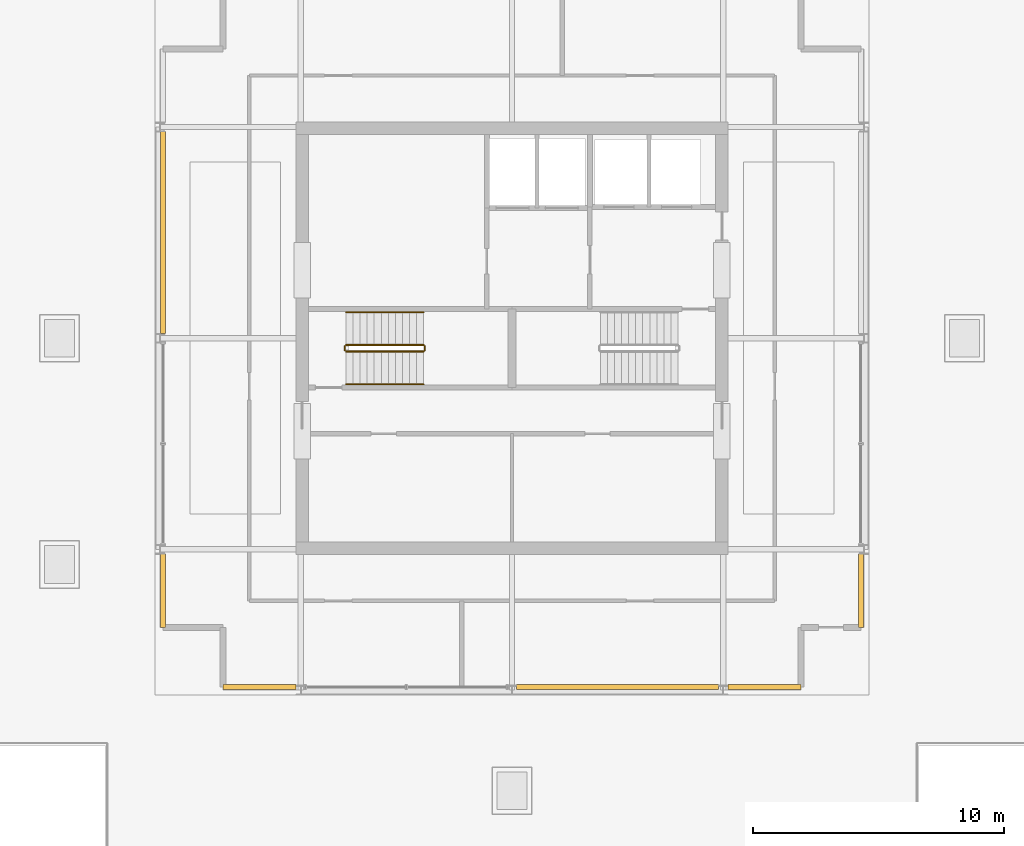
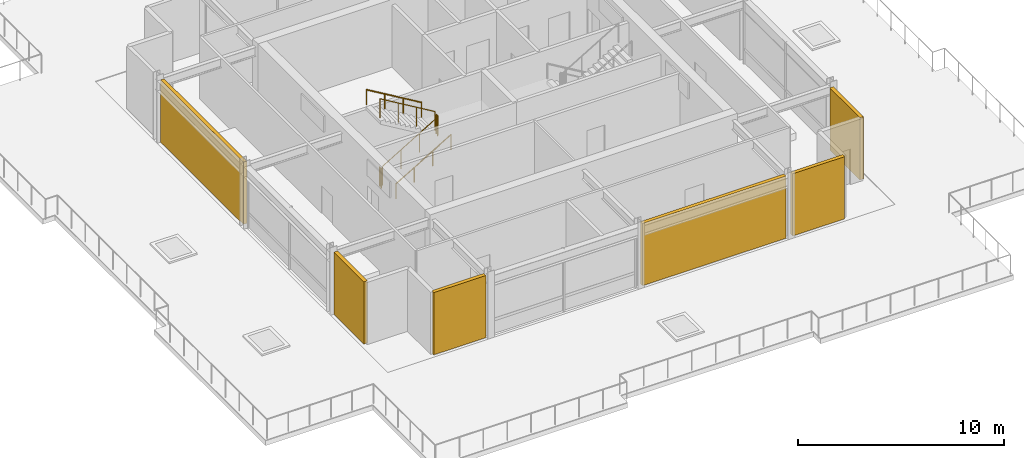
# One storey, part 15 of 17: 6 railings, 6 shading devices.
"""IFC4 building model written with IfcOpenShell, lengths in metres."""

from ifc_helpers import new_model, si_unit, direction, frame, origin, origin_2d, place, context, subcontext, project, spatial, rectangle, circle, extrude, material, layer, layer_set, type_object, element, save


model = new_model("IFC4")

# Units and contexts
model_context = context("Model", 3, precision=1e-05, world=origin(), true_north=direction((0.0, 1.0)))
body_context = subcontext(model_context, "Body", "Model", "MODEL_VIEW")
ifc_project = project(units=[si_unit("LENGTHUNIT", "METRE"), si_unit("AREAUNIT", "SQUARE_METRE"), si_unit("VOLUMEUNIT", "CUBIC_METRE"), si_unit("PLANEANGLEUNIT", "RADIAN"), si_unit("MASSUNIT", "GRAM", prefix="KILO")], contexts=[model_context])

# Site, building, storey
site_placement = place(None, origin())
site = spatial("IfcSite", under=ifc_project, at=site_placement, CompositionType="ELEMENT")
building_placement = place(site_placement, origin())
building = spatial("IfcBuilding", under=site, at=building_placement, Name="Drelvath Grand Hotel", CompositionType="ELEMENT")
storey_placement = place(building_placement, frame((0.0, 0.0, 311.39990234375)))
storey = spatial("IfcBuildingStorey", under=building, at=storey_placement, Name="L81", CompositionType="ELEMENT", Elevation=311.39990234375)

# Railings
ifc_material_1 = material(Name="Painted Steel S275", Category="steel")
railing_type_1 = type_object("IfcRailingType", Name="Core Stair Wall Handrail 900", PredefinedType="HANDRAIL", material=ifc_material_1)
railing_1_placement = place(storey_placement, frame((-6.60009765625, 25.169921875, 0.166748046875)))
element("IfcRailing", 1, at=railing_1_placement, inside=storey, type_object=railing_type_1, Name="L81 ST-1 stair handrail 1", PredefinedType="HANDRAIL", context=body_context, shape_type="SweptSolid", body=[
    extrude(circle(Radius=0.02392578125, at=origin_2d()), frame((0.0, 0.0, 0.8759765625), z_axis=(0.859308565015, 0.0, 0.511457515432), x_axis=(0.0, 1.0, 0.0)), (0.0, 0.0, 1.0), 3.58447265625),
    extrude(circle(Radius=0.02099609375, at=origin_2d()), origin(), (0.0, 0.0, 1.0), 0.851806640625),
    extrude(circle(Radius=0.02099609375, at=origin_2d()), frame((1.026611328125, 0.0, 0.611083984375)), (0.0, 0.0, 1.0), 0.851806640625),
    extrude(circle(Radius=0.02099609375, at=origin_2d()), frame((2.053466796875, 0.0, 1.22216796875)), (0.0, 0.0, 1.0), 0.851806640625),
    extrude(circle(Radius=0.02099609375, at=origin_2d()), frame((3.080078125, 0.0, 1.833251953125)), (0.0, 0.0, 1.0), 0.851806640625),
])
railing_2_placement = place(storey_placement, frame((-3.52001953125, 28.030029296875, 2.166748046875)))
element("IfcRailing", 2, at=railing_2_placement, inside=storey, type_object=railing_type_1, Name="L81 ST-1 stair handrail 2", PredefinedType="HANDRAIL", context=body_context, shape_type="SweptSolid", body=[
    extrude(circle(Radius=0.02392578125, at=origin_2d()), frame((0.0, 0.0, 0.8759765625), z_axis=(-0.859308565015, 0.0, 0.511457515432), x_axis=(0.0, -1.0, 0.0)), (0.0, 0.0, 1.0), 3.58447265625),
    extrude(circle(Radius=0.02099609375, at=origin_2d()), origin(), (0.0, 0.0, 1.0), 0.851806640625),
    extrude(circle(Radius=0.02099609375, at=origin_2d()), frame((-1.026611328125, 0.0, 0.611083984375)), (0.0, 0.0, 1.0), 0.851806640625),
    extrude(circle(Radius=0.02099609375, at=origin_2d()), frame((-2.053466796875, 0.0, 1.22216796875)), (0.0, 0.0, 1.0), 0.851806640625),
    extrude(circle(Radius=0.02099609375, at=origin_2d()), frame((-3.080078125, 0.0, 1.833251953125)), (0.0, 0.0, 1.0), 0.851806640625),
])
railing_type_2 = type_object("IfcRailingType", Name="Core Stair Well Guardrail 1100", PredefinedType="GUARDRAIL", material=ifc_material_1)
railing_3_placement = place(storey_placement, frame((-6.60009765625, 26.469970703125, 0.166748046875)))
element("IfcRailing", 3, at=railing_3_placement, inside=storey, type_object=railing_type_2, Name="L81 ST-1 stair guard 1", PredefinedType="GUARDRAIL", context=body_context, shape_type="SweptSolid", body=[
    extrude(circle(Radius=0.02392578125, at=origin_2d()), frame((0.0, 0.0, 1.1259765625), z_axis=(0.859308565015, 0.0, 0.511457515432), x_axis=(0.0, 1.0, 0.0)), (0.0, 0.0, 1.0), 3.58447265625),
    extrude(circle(Radius=0.02099609375, at=origin_2d()), origin(), (0.0, 0.0, 1.0), 1.101806640625),
    extrude(circle(Radius=0.02099609375, at=origin_2d()), frame((1.026611328125, 0.0, 0.611083984375)), (0.0, 0.0, 1.0), 1.101806640625),
    extrude(circle(Radius=0.02099609375, at=origin_2d()), frame((2.053466796875, 0.0, 1.22216796875)), (0.0, 0.0, 1.0), 1.101806640625),
    extrude(circle(Radius=0.02099609375, at=origin_2d()), frame((3.080078125, 0.0, 1.833251953125)), (0.0, 0.0, 1.0), 1.101806640625),
])
railing_4_placement = place(storey_placement, frame((-3.469970703125, 26.52001953125, 2.0)))
element("IfcRailing", 4, at=railing_4_placement, inside=storey, type_object=railing_type_2, Name="L81 ST-1 stair guard 2", PredefinedType="GUARDRAIL", context=body_context, shape_type="SweptSolid", body=[
    extrude(circle(Radius=0.02392578125, at=origin_2d()), frame((0.0, 0.0, 1.1259765625), z_axis=(0.0, 1.0, 0.0), x_axis=(-1.0, 0.0, 0.0)), (0.0, 0.0, 1.0), 0.159912109375),
    extrude(circle(Radius=0.02099609375, at=origin_2d()), origin(), (0.0, 0.0, 1.0), 1.101806640625),
    extrude(circle(Radius=0.02099609375, at=origin_2d()), frame((0.0, 0.159912109375, 0.0)), (0.0, 0.0, 1.0), 1.101806640625),
])
railing_5_placement = place(storey_placement, frame((-3.52001953125, 26.72998046875, 2.166748046875)))
element("IfcRailing", 5, at=railing_5_placement, inside=storey, type_object=railing_type_2, Name="L81 ST-1 stair guard 3", PredefinedType="GUARDRAIL", context=body_context, shape_type="SweptSolid", body=[
    extrude(circle(Radius=0.02392578125, at=origin_2d()), frame((0.0, 0.0, 1.1259765625), z_axis=(-0.859308565015, 0.0, 0.511457515432), x_axis=(0.0, -1.0, 0.0)), (0.0, 0.0, 1.0), 3.58447265625),
    extrude(circle(Radius=0.02099609375, at=origin_2d()), origin(), (0.0, 0.0, 1.0), 1.101806640625),
    extrude(circle(Radius=0.02099609375, at=origin_2d()), frame((-1.026611328125, 0.0, 0.611083984375)), (0.0, 0.0, 1.0), 1.101806640625),
    extrude(circle(Radius=0.02099609375, at=origin_2d()), frame((-2.053466796875, 0.0, 1.22216796875)), (0.0, 0.0, 1.0), 1.101806640625),
    extrude(circle(Radius=0.02099609375, at=origin_2d()), frame((-3.080078125, 0.0, 1.833251953125)), (0.0, 0.0, 1.0), 1.101806640625),
])
railing_6_placement = place(storey_placement, frame((-6.64990234375, 26.52001953125, 0.0)))
element("IfcRailing", 6, at=railing_6_placement, inside=storey, type_object=railing_type_2, Name="L81 ST-1 stair guard 4", PredefinedType="GUARDRAIL", context=body_context, shape_type="SweptSolid", body=[
    extrude(circle(Radius=0.02392578125, at=origin_2d()), frame((0.0, 0.0, 1.1259765625), z_axis=(0.0, 1.0, 0.0), x_axis=(-1.0, 0.0, 0.0)), (0.0, 0.0, 1.0), 0.159912109375),
    extrude(circle(Radius=0.02099609375, at=origin_2d()), origin(), (0.0, 0.0, 1.0), 1.101806640625),
    extrude(circle(Radius=0.02099609375, at=origin_2d()), frame((0.0, 0.159912109375, 0.0)), (0.0, 0.0, 1.0), 1.101806640625),
])

# Shading devices
ifc_material_2 = material(Name="Platinum-Mist Anodised Aluminium Louvre", Category="aluminium")
ifc_layer = layer(ifc_material_2, 0.199951171875)
ifc_layer_set = layer_set([ifc_layer], Name="Platinum-Mist Anodised Aluminium Louvre")
shading_device_type = type_object("IfcShadingDeviceType", Name="Crown Drum Screened Acoustic Louvre 200", PredefinedType="USERDEFINED", material=ifc_layer_set)
shading_device_1_placement = place(storey_placement, frame((-13.8798828125, 16.958984375, 0.0), z_axis=(0.0, 0.0, 1.0), x_axis=(0.0, 1.0, 0.0)))
element("IfcShadingDevice", 7, at=shading_device_1_placement, inside=storey, type_object=shading_device_type, Name="L81 Crown Drum Acoustic Louvre W-1", ObjectType="LOUVRE", PredefinedType="USERDEFINED", context=body_context, shape_type="SweptSolid", body=[
    extrude(rectangle(XDim=2.917724609375, YDim=0.199951171875, at=origin_2d()), origin(), (0.0, 0.0, 1.0), 3.679931640625),
])
shading_device_2_placement = place(storey_placement, frame((-13.8798828125, 31.199951171875, 0.0), z_axis=(0.0, 0.0, 1.0), x_axis=(0.0, 1.0, 0.0)))
element("IfcShadingDevice", 8, at=shading_device_2_placement, inside=storey, type_object=shading_device_type, Name="L81 Crown Drum Acoustic Louvre W-3", ObjectType="LOUVRE", PredefinedType="USERDEFINED", context=body_context, shape_type="SweptSolid", body=[
    extrude(rectangle(XDim=8.03564453125, YDim=0.199951171875, at=origin_2d()), origin(), (0.0, 0.0, 1.0), 3.679931640625),
])
shading_device_3_placement = place(storey_placement, frame((13.8798828125, 16.958984375, 0.0), z_axis=(0.0, 0.0, 1.0), x_axis=(0.0, 1.0, 0.0)))
element("IfcShadingDevice", 9, at=shading_device_3_placement, inside=storey, type_object=shading_device_type, Name="L81 Crown Drum Acoustic Louvre E-1", ObjectType="LOUVRE", PredefinedType="USERDEFINED", context=body_context, shape_type="SweptSolid", body=[
    extrude(rectangle(XDim=2.917724609375, YDim=0.199951171875, at=origin_2d()), origin(), (0.0, 0.0, 1.0), 3.679931640625),
])
shading_device_4_placement = place(storey_placement, frame((-10.04150390625, 13.1201171875, 0.0), z_axis=(0.0, 0.0, 1.0), x_axis=(1.0, 0.0, 0.0)))
element("IfcShadingDevice", 10, at=shading_device_4_placement, inside=storey, type_object=shading_device_type, Name="L81 Crown Drum Acoustic Louvre S-1", ObjectType="LOUVRE", PredefinedType="USERDEFINED", context=body_context, shape_type="SweptSolid", body=[
    extrude(rectangle(XDim=2.9169921875, YDim=0.199951171875, at=origin_2d()), origin(), (0.0, 0.0, 1.0), 3.679931640625),
])
shading_device_5_placement = place(storey_placement, frame((4.199951171875, 13.1201171875, 0.0), z_axis=(0.0, 0.0, 1.0), x_axis=(1.0, 0.0, 0.0)))
element("IfcShadingDevice", 11, at=shading_device_5_placement, inside=storey, type_object=shading_device_type, Name="L81 Crown Drum Acoustic Louvre S-3", ObjectType="LOUVRE", PredefinedType="USERDEFINED", context=body_context, shape_type="SweptSolid", body=[
    extrude(rectangle(XDim=8.033935546875, YDim=0.199951171875, at=origin_2d()), origin(), (0.0, 0.0, 1.0), 3.679931640625),
])
shading_device_6_placement = place(storey_placement, frame((10.04150390625, 13.1201171875, 0.0), z_axis=(0.0, 0.0, 1.0), x_axis=(1.0, 0.0, 0.0)))
element("IfcShadingDevice", 12, at=shading_device_6_placement, inside=storey, type_object=shading_device_type, Name="L81 Crown Drum Acoustic Louvre S-4", ObjectType="LOUVRE", PredefinedType="USERDEFINED", context=body_context, shape_type="SweptSolid", body=[
    extrude(rectangle(XDim=2.9169921875, YDim=0.199951171875, at=origin_2d()), origin(), (0.0, 0.0, 1.0), 3.679931640625),
])

save(model, "model.ifc")
